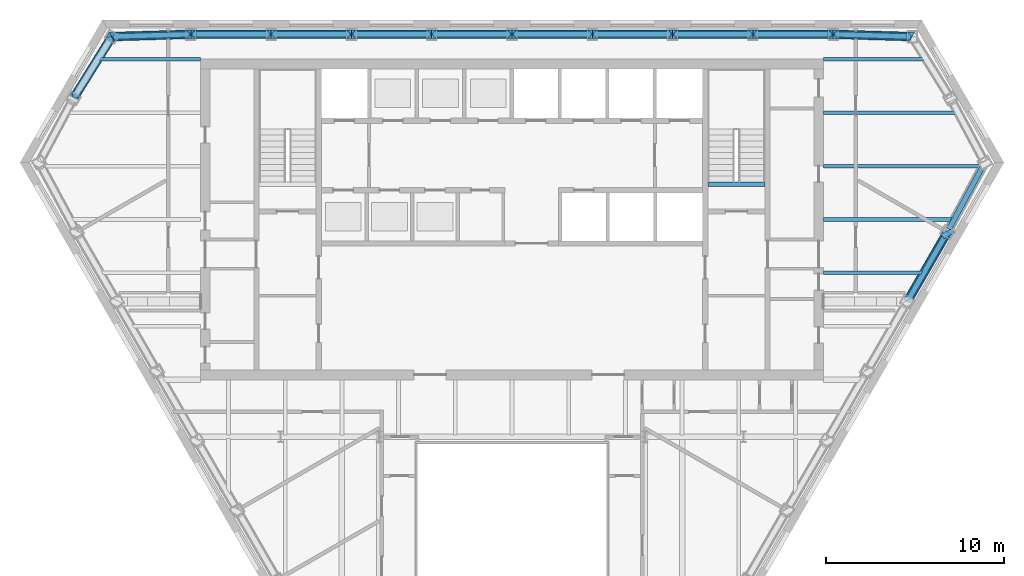
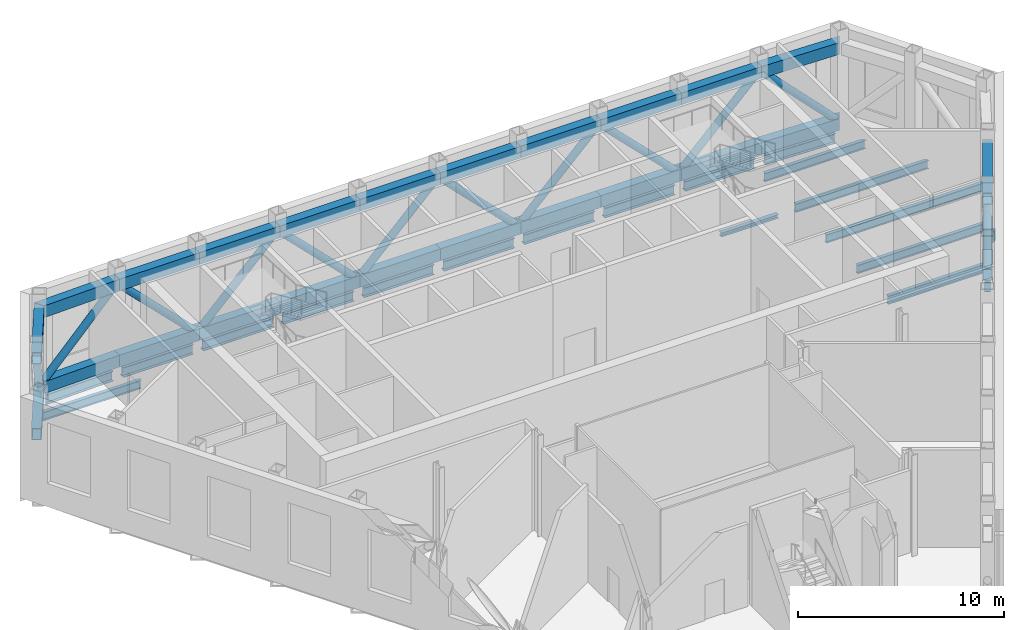
# One storey, part 5 of 15: 36 members, 20 beams.
"""IFC4 building model written with IfcOpenShell, lengths in metres."""

from ifc_helpers import new_model, si_unit, direction, frame, origin, origin_2d, place, context, subcontext, project, spatial, hollow_rectangle, hollow_circle, i_section, extrude, clip, halfspace, material, material_profile, profile_set, type_object, element, save


model = new_model("IFC4")

# Units and contexts
model_context = context("Model", 3, precision=1e-05, world=origin(), true_north=direction((0.0, 1.0)))
body_context = subcontext(model_context, "Body", "Model", "MODEL_VIEW")
ifc_project = project(units=[si_unit("LENGTHUNIT", "METRE"), si_unit("AREAUNIT", "SQUARE_METRE"), si_unit("VOLUMEUNIT", "CUBIC_METRE"), si_unit("PLANEANGLEUNIT", "RADIAN"), si_unit("MASSUNIT", "GRAM", prefix="KILO")], contexts=[model_context])

# Site, building, storey
site_placement = place(None, origin())
site = spatial("IfcSite", under=ifc_project, at=site_placement, CompositionType="ELEMENT")
building_placement = place(site_placement, origin())
building = spatial("IfcBuilding", under=site, at=building_placement, Name="Njiva Tower", CompositionType="ELEMENT")
storey_placement = place(building_placement, frame((0.0, 0.0, 133.8)))
storey = spatial("IfcBuildingStorey", under=building, at=storey_placement, Name="L28", CompositionType="ELEMENT", Elevation=133.8)

# Beams
ifc_material_1 = material(Name="Steel S355 J2", Category="steel")
ifc_material_profile_1 = material_profile(ifc_material_1, hollow_rectangle(XDim=0.7, YDim=0.7, WallThickness=0.08, at=origin_2d()), Name="BOX 700x700x80")
ifc_profile_set_1 = profile_set([ifc_material_profile_1], Name="Steel S355 J2")
beam_type_1 = type_object("IfcBeamType", Name="B19 Column jog beam BOX 700x700x80", PredefinedType="BEAM", material=ifc_profile_set_1)
beam_1_placement = place(storey_placement, frame((24.561, 8.085, -0.55), z_axis=(-0.480499251108, 0.876995136637, 0.0), x_axis=(-0.876995136637, -0.480499251108, 0.0)))
element("IfcBeam", 1, at=beam_1_placement, inside=storey, type_object=beam_type_1, Name="Column jog beam T2-B047", PredefinedType="BEAM", context=body_context, shape_type="SweptSolid", body=[
    extrude(hollow_rectangle(XDim=0.7, YDim=0.7, WallThickness=0.08, at=origin_2d()), origin(), (0.0, 0.0, 1.0), 0.2976),
])
ifc_material_profile_2 = material_profile(ifc_material_1, i_section(OverallWidth=0.2, OverallDepth=0.5, WebThickness=0.0102, FlangeThickness=0.016, at=origin_2d()), Name="IPE 500")
ifc_profile_set_2 = profile_set([ifc_material_profile_2], Name="Steel S355 J2")
beam_type_2 = type_object("IfcBeamType", Name="B24 Floor beam to the core IPE 500", PredefinedType="BEAM", material=ifc_profile_set_2)
beam_2_placement = place(storey_placement, frame((17.5, 6.0, -0.45), z_axis=(1.0, 0.0, 0.0), x_axis=(0.0, 1.0, 0.0)))
element("IfcBeam", 2, at=beam_2_placement, inside=storey, type_object=beam_type_2, Name="Floor beam to the core T2-B008", PredefinedType="BEAM", context=body_context, shape_type="Clipping", body=[
    clip(extrude(i_section(OverallWidth=0.2, OverallDepth=0.5, WebThickness=0.0102, FlangeThickness=0.016, at=origin_2d()), origin(), (0.0, 0.0, 1.0), 5.585), halfspace(frame((-0.025, 0.0, 5.493), z_axis=(-0.499998009787, 0.0, 0.866026552831), x_axis=(0.0, 1.0, 0.0)), False)),
])
beam_3_placement = place(storey_placement, frame((17.5, 9.0, -0.45), z_axis=(1.0, 0.0, 0.0), x_axis=(0.0, 1.0, 0.0)))
element("IfcBeam", 3, at=beam_3_placement, inside=storey, type_object=beam_type_2, Name="Floor beam to the core T2-B009", PredefinedType="BEAM", context=body_context, shape_type="Clipping", body=[
    clip(extrude(i_section(OverallWidth=0.2, OverallDepth=0.5, WebThickness=0.0102, FlangeThickness=0.016, at=origin_2d()), origin(), (0.0, 0.0, 1.0), 7.288), halfspace(frame((-0.0237, 0.0, 7.2008), z_axis=(-0.473777178452, 0.0, 0.88064475538), x_axis=(0.0, 1.0, 0.0)), False)),
])
beam_4_placement = place(storey_placement, frame((17.5, 12.0, -0.45), z_axis=(1.0, 0.0, 0.0), x_axis=(0.0, 1.0, 0.0)))
element("IfcBeam", 4, at=beam_4_placement, inside=storey, type_object=beam_type_2, Name="Floor beam to the core T2-B010", PredefinedType="BEAM", context=body_context, shape_type="Clipping", body=[
    clip(extrude(i_section(OverallWidth=0.2, OverallDepth=0.5, WebThickness=0.0102, FlangeThickness=0.016, at=origin_2d()), origin(), (0.0, 0.0, 1.0), 8.889), halfspace(frame((0.025, 0.0, 8.7964), z_axis=(0.499998009787, 0.0, 0.866026552831), x_axis=(0.0, 1.0, 0.0)), False)),
])
beam_5_placement = place(storey_placement, frame((17.5, 15.0, -0.45), z_axis=(1.0, 0.0, 0.0), x_axis=(0.0, 1.0, 0.0)))
element("IfcBeam", 5, at=beam_5_placement, inside=storey, type_object=beam_type_2, Name="Floor beam to the core T2-B011", PredefinedType="BEAM", context=body_context, shape_type="Clipping", body=[
    clip(extrude(i_section(OverallWidth=0.2, OverallDepth=0.5, WebThickness=0.0102, FlangeThickness=0.016, at=origin_2d()), origin(), (0.0, 0.0, 1.0), 7.509), halfspace(frame((0.0236, 0.0, 7.4234), z_axis=(0.471502520282, 0.0, 0.881864713756), x_axis=(0.0, 1.0, 0.0)), False)),
])
beam_6_placement = place(storey_placement, frame((-23.218, 18.0, -0.45), z_axis=(1.0, 0.0, 0.0), x_axis=(0.0, 1.0, 0.0)))
element("IfcBeam", 6, at=beam_6_placement, inside=storey, type_object=beam_type_2, Name="Floor beam to the core T2-B004", PredefinedType="BEAM", context=body_context, shape_type="Clipping", body=[
    clip(extrude(i_section(OverallWidth=0.2, OverallDepth=0.5, WebThickness=0.0102, FlangeThickness=0.016, at=origin_2d()), origin(), (0.0, 0.0, 1.0), 5.718), halfspace(frame((0.0264, 0.0, 0.0983), z_axis=(0.527959658278, 0.0, -0.849269450311), x_axis=(0.0, -1.0, 0.0)), False)),
])
beam_7_placement = place(storey_placement, frame((17.5, 18.0, -0.45), z_axis=(1.0, 0.0, 0.0), x_axis=(0.0, 1.0, 0.0)))
element("IfcBeam", 7, at=beam_7_placement, inside=storey, type_object=beam_type_2, Name="Floor beam to the core T2-B012", PredefinedType="BEAM", context=body_context, shape_type="Clipping", body=[
    clip(extrude(i_section(OverallWidth=0.2, OverallDepth=0.5, WebThickness=0.0102, FlangeThickness=0.016, at=origin_2d()), origin(), (0.0, 0.0, 1.0), 5.718), halfspace(frame((0.0264, 0.0, 5.6197), z_axis=(0.527959658278, 0.0, 0.849269450311), x_axis=(0.0, 1.0, 0.0)), False)),
])
ifc_material_profile_3 = material_profile(ifc_material_1, i_section(OverallWidth=0.3, OverallDepth=0.59, WebThickness=0.013, FlangeThickness=0.025, at=origin_2d()), Name="HEA 600")
ifc_profile_set_3 = profile_set([ifc_material_profile_3], Name="Steel S355 J2")
beam_type_3 = type_object("IfcBeamType", Name="B27 Short-span spandrel beam HEA 600", PredefinedType="SPANDREL", material=ifc_profile_set_3)
beam_8_placement = place(storey_placement, frame((22.182, 19.275, -0.495), z_axis=(-0.999544015996, 0.030195365317, 0.0), x_axis=(-0.030195365317, -0.999544015996, 0.0)))
element("IfcBeam", 8, at=beam_8_placement, inside=storey, type_object=beam_type_3, Name="Short-span spandrel beam T2-B108", PredefinedType="SPANDREL", context=body_context, shape_type="SweptSolid", body=[
    extrude(i_section(OverallWidth=0.3, OverallDepth=0.59, WebThickness=0.013, FlangeThickness=0.025, at=origin_2d()), origin(), (0.0, 0.0, 1.0), 3.8748),
])
beam_9_placement = place(storey_placement, frame((17.755, 19.4, -0.495), z_axis=(-1.0, 0.0, 0.0), x_axis=(0.0, -1.0, 0.0)))
element("IfcBeam", 9, at=beam_9_placement, inside=storey, type_object=beam_type_3, Name="Short-span spandrel beam T2-B105", PredefinedType="SPANDREL", context=body_context, shape_type="SweptSolid", body=[
    extrude(i_section(OverallWidth=0.3, OverallDepth=0.59, WebThickness=0.013, FlangeThickness=0.025, at=origin_2d()), origin(), (0.0, 0.0, 1.0), 3.957),
])
beam_10_placement = place(storey_placement, frame((13.248, 19.4, -0.495), z_axis=(-1.0, 0.0, 0.0), x_axis=(0.0, -1.0, 0.0)))
element("IfcBeam", 10, at=beam_10_placement, inside=storey, type_object=beam_type_3, Name="Short-span spandrel beam T2-B102", PredefinedType="SPANDREL", context=body_context, shape_type="SweptSolid", body=[
    extrude(i_section(OverallWidth=0.3, OverallDepth=0.59, WebThickness=0.013, FlangeThickness=0.025, at=origin_2d()), origin(), (0.0, 0.0, 1.0), 3.958),
])
beam_11_placement = place(storey_placement, frame((8.74, 19.4, -0.495), z_axis=(-1.0, 0.0, 0.0), x_axis=(0.0, -1.0, 0.0)))
element("IfcBeam", 11, at=beam_11_placement, inside=storey, type_object=beam_type_3, Name="Short-span spandrel beam T2-B099", PredefinedType="SPANDREL", context=body_context, shape_type="SweptSolid", body=[
    extrude(i_section(OverallWidth=0.3, OverallDepth=0.59, WebThickness=0.013, FlangeThickness=0.025, at=origin_2d()), origin(), (0.0, 0.0, 1.0), 3.957),
])
for number, where, z_axis, x_axis, name in (
    (12, (4.233, 19.4, -0.495), (-1.0, 0.0, 0.0), (0.0, -1.0, 0.0), "Short-span spandrel beam T2-B096"),
    (13, (-0.275, 19.4, -0.495), (-1.0, 0.0, 0.0), (0.0, -1.0, 0.0), "Short-span spandrel beam T2-B094"),
):
    element("IfcBeam", number, at=place(storey_placement, frame(where, z_axis=z_axis, x_axis=x_axis)), inside=storey, type_object=beam_type_3, Name=name, PredefinedType="SPANDREL", context=body_context, shape_type="SweptSolid", body=[
        extrude(i_section(OverallWidth=0.3, OverallDepth=0.59, WebThickness=0.013, FlangeThickness=0.025, at=origin_2d()), origin(), (0.0, 0.0, 1.0), 3.958),
    ])
beam_12_placement = place(storey_placement, frame((-4.783, 19.4, -0.495), z_axis=(-1.0, 0.0, 0.0), x_axis=(0.0, -1.0, 0.0)))
element("IfcBeam", 14, at=beam_12_placement, inside=storey, type_object=beam_type_3, Name="Short-span spandrel beam T2-B091", PredefinedType="SPANDREL", context=body_context, shape_type="SweptSolid", body=[
    extrude(i_section(OverallWidth=0.3, OverallDepth=0.59, WebThickness=0.013, FlangeThickness=0.025, at=origin_2d()), origin(), (0.0, 0.0, 1.0), 3.957),
])
beam_13_placement = place(storey_placement, frame((-9.29, 19.4, -0.495), z_axis=(-1.0, 0.0, 0.0), x_axis=(0.0, -1.0, 0.0)))
element("IfcBeam", 15, at=beam_13_placement, inside=storey, type_object=beam_type_3, Name="Short-span spandrel beam T2-B088", PredefinedType="SPANDREL", context=body_context, shape_type="SweptSolid", body=[
    extrude(i_section(OverallWidth=0.3, OverallDepth=0.59, WebThickness=0.013, FlangeThickness=0.025, at=origin_2d()), origin(), (0.0, 0.0, 1.0), 3.958),
])
beam_14_placement = place(storey_placement, frame((-13.798, 19.4, -0.495), z_axis=(-1.0, 0.0, 0.0), x_axis=(0.0, -1.0, 0.0)))
element("IfcBeam", 16, at=beam_14_placement, inside=storey, type_object=beam_type_3, Name="Short-span spandrel beam T2-B085", PredefinedType="SPANDREL", context=body_context, shape_type="SweptSolid", body=[
    extrude(i_section(OverallWidth=0.3, OverallDepth=0.59, WebThickness=0.013, FlangeThickness=0.025, at=origin_2d()), origin(), (0.0, 0.0, 1.0), 3.957),
])
beam_15_placement = place(storey_placement, frame((-18.309, 19.392, -0.495), z_axis=(-0.999550066906, -0.029994395269, 0.0), x_axis=(0.029994395269, -0.999550066906, 0.0)))
element("IfcBeam", 17, at=beam_15_placement, inside=storey, type_object=beam_type_3, Name="Short-span spandrel beam T2-B082", PredefinedType="SPANDREL", context=body_context, shape_type="Clipping", body=[
    clip(extrude(i_section(OverallWidth=0.3, OverallDepth=0.59, WebThickness=0.013, FlangeThickness=0.025, at=origin_2d()), origin(), (0.0, 0.0, 1.0), 3.9137), halfspace(frame((-0.0259, 0.0, 3.7849), z_axis=(-0.525748986875, 0.0, 0.850639760886), x_axis=(0.0, 1.0, 0.0)), False)),
])
beam_16_placement = place(storey_placement, frame((22.285, 4.549, -0.495), z_axis=(0.499890179513, 0.866088799389, 0.0), x_axis=(-0.866088799389, 0.499890179513, 0.0)))
element("IfcBeam", 18, at=beam_16_placement, inside=storey, type_object=beam_type_3, Name="Short-span spandrel beam T2-B110", PredefinedType="SPANDREL", context=body_context, shape_type="SweptSolid", body=[
    extrude(i_section(OverallWidth=0.3, OverallDepth=0.59, WebThickness=0.013, FlangeThickness=0.025, at=origin_2d()), origin(), (0.0, 0.0, 1.0), 3.9569),
])
beam_17_placement = place(storey_placement, frame((24.535, 8.458, -0.495), z_axis=(0.473854488277, 0.88060315917, 0.0), x_axis=(-0.88060315917, 0.473854488277, 0.0)))
element("IfcBeam", 19, at=beam_17_placement, inside=storey, type_object=beam_type_3, Name="Short-span spandrel beam T2-B112", PredefinedType="SPANDREL", context=body_context, shape_type="Clipping", body=[
    clip(extrude(i_section(OverallWidth=0.3, OverallDepth=0.59, WebThickness=0.013, FlangeThickness=0.025, at=origin_2d()), origin(), (0.0, 0.0, 1.0), 4.0024), halfspace(frame((-0.0264, 0.0, 3.8735), z_axis=(-0.525699417281, 0.0, 0.850670396023), x_axis=(0.0, 1.0, 0.0)), False)),
])
ifc_material_profile_4 = material_profile(ifc_material_1, i_section(OverallWidth=0.24, OverallDepth=0.23, WebThickness=0.0075, FlangeThickness=0.012, at=origin_2d()), Name="HEA240")
ifc_profile_set_4 = profile_set([ifc_material_profile_4], Name="Steel S355 J2")
beam_type_4 = type_object("IfcBeamType", Name="FL8 Landing beam HEA 240", PredefinedType="BEAM", material=ifc_profile_set_4)
beam_18_placement = place(storey_placement, frame((10.994, 10.98, 2.685), z_axis=(1.0, 0.0, 0.0), x_axis=(0.0, 1.0, 0.0)))
element("IfcBeam", 20, at=beam_18_placement, inside=storey, type_object=beam_type_4, Name="Landing beam", PredefinedType="BEAM", context=body_context, shape_type="SweptSolid", body=[
    extrude(i_section(OverallWidth=0.24, OverallDepth=0.23, WebThickness=0.0075, FlangeThickness=0.012, at=origin_2d()), origin(), (0.0, 0.0, 1.0), 3.212),
])

# Members
ifc_material_profile_5 = material_profile(ifc_material_1, hollow_rectangle(XDim=0.5, YDim=0.7, WallThickness=0.04, at=origin_2d()), Name="BOX 700x500x40")
ifc_profile_set_5 = profile_set([ifc_material_profile_5], Name="Steel S355 J2")
member_type_1 = type_object("IfcMemberType", Name="TC2 Belt truss chord BOX 700x500x40", PredefinedType="CHORD", material=ifc_profile_set_5)
member_1_placement = place(storey_placement, frame((22.6299, 19.2621, 0.35), z_axis=(-0.999550033089, 0.029995522202, 0.0), x_axis=(-0.029995522202, -0.999550033089, 0.0)))
element("IfcMember", 21, at=member_1_placement, inside=storey, type_object=member_type_1, Name="Belt truss chord T2-TR001", PredefinedType="CHORD", context=body_context, shape_type="Clipping", body=[
    clip(clip(extrude(hollow_rectangle(XDim=0.5, YDim=0.7, WallThickness=0.04, at=origin_2d()), origin(), (0.0, 0.0, 1.0), 4.632), halfspace(frame((0.0, -134.15, 0.164), z_axis=(0.472647706211, 0.0, -0.881251465709), x_axis=(0.0, -1.0, 0.0)), False)), halfspace(frame((0.0, -134.15, 4.598), z_axis=(0.014998934611, 0.0, 0.999887509653), x_axis=(0.0, 1.0, 0.0)), False)),
])
member_2_placement = place(storey_placement, frame((22.6299, 19.2621, 4.86), z_axis=(-0.999550033089, 0.029995522202, 0.0), x_axis=(-0.029995522202, -0.999550033089, 0.0)))
element("IfcMember", 22, at=member_2_placement, inside=storey, type_object=member_type_1, Name="Belt truss chord T2-TR002", PredefinedType="CHORD", context=body_context, shape_type="Clipping", body=[
    clip(clip(extrude(hollow_rectangle(XDim=0.5, YDim=0.7, WallThickness=0.04, at=origin_2d()), origin(), (0.0, 0.0, 1.0), 4.632), halfspace(frame((0.0, -138.66, 0.164), z_axis=(0.472647706211, 0.0, -0.881251465709), x_axis=(0.0, -1.0, 0.0)), False)), halfspace(frame((0.0, -138.66, 4.598), z_axis=(0.014998934611, 0.0, 0.999887509653), x_axis=(0.0, 1.0, 0.0)), False)),
])
member_3_placement = place(storey_placement, frame((18.068, 19.4, 0.35), z_axis=(-1.0, 0.0, 0.0), x_axis=(0.0, -1.0, 0.0)))
element("IfcMember", 23, at=member_3_placement, inside=storey, type_object=member_type_1, Name="Belt truss chord T2-TR004", PredefinedType="CHORD", context=body_context, shape_type="Clipping", body=[
    clip(extrude(hollow_rectangle(XDim=0.5, YDim=0.7, WallThickness=0.04, at=origin_2d()), origin(), (0.0, 0.0, 1.0), 4.542), halfspace(frame((0.0, -134.15, 0.034), z_axis=(0.014999962409, 0.0, -0.999887494235), x_axis=(0.0, -1.0, 0.0)), False)),
])
member_4_placement = place(storey_placement, frame((18.068, 19.4, 4.86), z_axis=(-1.0, 0.0, 0.0), x_axis=(0.0, -1.0, 0.0)))
element("IfcMember", 24, at=member_4_placement, inside=storey, type_object=member_type_1, Name="Belt truss chord T2-TR005", PredefinedType="CHORD", context=body_context, shape_type="Clipping", body=[
    clip(extrude(hollow_rectangle(XDim=0.5, YDim=0.7, WallThickness=0.04, at=origin_2d()), origin(), (0.0, 0.0, 1.0), 4.542), halfspace(frame((0.0, -138.66, 0.034), z_axis=(0.014999962409, 0.0, -0.999887494235), x_axis=(0.0, -1.0, 0.0)), False)),
])
for number, where, z_axis, x_axis, name in (
    (25, (13.526, 19.4, 0.35), (-1.0, 0.0, 0.0), (0.0, -1.0, 0.0), "Belt truss chord T2-TR007"),
    (26, (13.526, 19.4, 4.86), (-1.0, 0.0, 0.0), (0.0, -1.0, 0.0), "Belt truss chord T2-TR008"),
):
    element("IfcMember", number, at=place(storey_placement, frame(where, z_axis=z_axis, x_axis=x_axis)), inside=storey, type_object=member_type_1, Name=name, PredefinedType="CHORD", context=body_context, shape_type="SweptSolid", body=[
        extrude(hollow_rectangle(XDim=0.5, YDim=0.7, WallThickness=0.04, at=origin_2d()), origin(), (0.0, 0.0, 1.0), 4.509),
    ])
for number, where, z_axis, x_axis, name in (
    (27, (9.017, 19.4, 0.35), (-1.0, 0.0, 0.0), (0.0, -1.0, 0.0), "Belt truss chord T2-TR010"),
    (28, (9.017, 19.4, 4.86), (-1.0, 0.0, 0.0), (0.0, -1.0, 0.0), "Belt truss chord T2-TR011"),
):
    element("IfcMember", number, at=place(storey_placement, frame(where, z_axis=z_axis, x_axis=x_axis)), inside=storey, type_object=member_type_1, Name=name, PredefinedType="CHORD", context=body_context, shape_type="SweptSolid", body=[
        extrude(hollow_rectangle(XDim=0.5, YDim=0.7, WallThickness=0.04, at=origin_2d()), origin(), (0.0, 0.0, 1.0), 4.508),
    ])
for number, where, z_axis, x_axis, name in (
    (29, (4.509, 19.4, 0.35), (-1.0, 0.0, 0.0), (0.0, -1.0, 0.0), "Belt truss chord T2-TR013"),
    (30, (4.509, 19.4, 4.86), (-1.0, 0.0, 0.0), (0.0, -1.0, 0.0), "Belt truss chord T2-TR014"),
    (31, (0.0, 19.4, 0.35), (-1.0, 0.0, 0.0), (0.0, -1.0, 0.0), "Belt truss chord T2-TR016"),
    (32, (0.0, 19.4, 4.86), (-1.0, 0.0, 0.0), (0.0, -1.0, 0.0), "Belt truss chord T2-TR017"),
):
    element("IfcMember", number, at=place(storey_placement, frame(where, z_axis=z_axis, x_axis=x_axis)), inside=storey, type_object=member_type_1, Name=name, PredefinedType="CHORD", context=body_context, shape_type="SweptSolid", body=[
        extrude(hollow_rectangle(XDim=0.5, YDim=0.7, WallThickness=0.04, at=origin_2d()), origin(), (0.0, 0.0, 1.0), 4.509),
    ])
for number, where, z_axis, x_axis, name in (
    (33, (-4.509, 19.4, 0.35), (-1.0, 0.0, 0.0), (0.0, -1.0, 0.0), "Belt truss chord T2-TR019"),
    (34, (-4.509, 19.4, 4.86), (-1.0, 0.0, 0.0), (0.0, -1.0, 0.0), "Belt truss chord T2-TR020"),
):
    element("IfcMember", number, at=place(storey_placement, frame(where, z_axis=z_axis, x_axis=x_axis)), inside=storey, type_object=member_type_1, Name=name, PredefinedType="CHORD", context=body_context, shape_type="SweptSolid", body=[
        extrude(hollow_rectangle(XDim=0.5, YDim=0.7, WallThickness=0.04, at=origin_2d()), origin(), (0.0, 0.0, 1.0), 4.508),
    ])
for number, where, z_axis, x_axis, name in (
    (35, (-9.017, 19.4, 0.35), (-1.0, 0.0, 0.0), (0.0, -1.0, 0.0), "Belt truss chord T2-TR022"),
    (36, (-9.017, 19.4, 4.86), (-1.0, 0.0, 0.0), (0.0, -1.0, 0.0), "Belt truss chord T2-TR023"),
):
    element("IfcMember", number, at=place(storey_placement, frame(where, z_axis=z_axis, x_axis=x_axis)), inside=storey, type_object=member_type_1, Name=name, PredefinedType="CHORD", context=body_context, shape_type="SweptSolid", body=[
        extrude(hollow_rectangle(XDim=0.5, YDim=0.7, WallThickness=0.04, at=origin_2d()), origin(), (0.0, 0.0, 1.0), 4.509),
    ])
member_5_placement = place(storey_placement, frame((-13.526, 19.4, 0.35), z_axis=(-1.0, 0.0, 0.0), x_axis=(0.0, -1.0, 0.0)))
element("IfcMember", 37, at=member_5_placement, inside=storey, type_object=member_type_1, Name="Belt truss chord T2-TR025", PredefinedType="CHORD", context=body_context, shape_type="Clipping", body=[
    clip(extrude(hollow_rectangle(XDim=0.5, YDim=0.7, WallThickness=0.04, at=origin_2d()), origin(), (0.0, 0.0, 1.0), 4.542), halfspace(frame((0.0, -134.15, 4.508), z_axis=(0.014999962409, 0.0, 0.999887494235), x_axis=(0.0, 1.0, 0.0)), False)),
])
member_6_placement = place(storey_placement, frame((-13.526, 19.4, 4.86), z_axis=(-1.0, 0.0, 0.0), x_axis=(0.0, -1.0, 0.0)))
element("IfcMember", 38, at=member_6_placement, inside=storey, type_object=member_type_1, Name="Belt truss chord T2-TR026", PredefinedType="CHORD", context=body_context, shape_type="Clipping", body=[
    clip(extrude(hollow_rectangle(XDim=0.5, YDim=0.7, WallThickness=0.04, at=origin_2d()), origin(), (0.0, 0.0, 1.0), 4.542), halfspace(frame((0.0, -138.66, 4.508), z_axis=(0.014999962409, 0.0, 0.999887494235), x_axis=(0.0, 1.0, 0.0)), False)),
])
member_7_placement = place(storey_placement, frame((-18.0, 19.401, 0.35), z_axis=(-0.999550033089, -0.029995522202, 0.0), x_axis=(0.029995522202, -0.999550033089, 0.0)))
element("IfcMember", 39, at=member_7_placement, inside=storey, type_object=member_type_1, Name="Belt truss chord T2-TR028", PredefinedType="CHORD", context=body_context, shape_type="Clipping", body=[
    clip(clip(extrude(hollow_rectangle(XDim=0.5, YDim=0.7, WallThickness=0.04, at=origin_2d()), origin(), (0.0, 0.0, 1.0), 4.632), halfspace(frame((0.0, -134.15, 0.034), z_axis=(0.014998934611, 0.0, -0.999887509653), x_axis=(0.0, -1.0, 0.0)), False)), halfspace(frame((0.0, -134.15, 4.468), z_axis=(0.472647706211, 0.0, 0.881251465709), x_axis=(0.0, 1.0, 0.0)), False)),
])
member_8_placement = place(storey_placement, frame((-18.0, 19.401, 4.86), z_axis=(-0.999550033089, -0.029995522202, 0.0), x_axis=(0.029995522202, -0.999550033089, 0.0)))
element("IfcMember", 40, at=member_8_placement, inside=storey, type_object=member_type_1, Name="Belt truss chord T2-TR029", PredefinedType="CHORD", context=body_context, shape_type="Clipping", body=[
    clip(clip(extrude(hollow_rectangle(XDim=0.5, YDim=0.7, WallThickness=0.04, at=origin_2d()), origin(), (0.0, 0.0, 1.0), 4.632), halfspace(frame((0.0, -138.66, 0.034), z_axis=(0.014998934611, 0.0, -0.999887509653), x_axis=(0.0, -1.0, 0.0)), False)), halfspace(frame((0.0, -138.66, 4.468), z_axis=(0.472647706211, 0.0, 0.881251465709), x_axis=(0.0, 1.0, 0.0)), False)),
])
member_9_placement = place(storey_placement, frame((-22.3794, 19.4063, 0.35), z_axis=(-0.527972311316, -0.84926158425, 0.0), x_axis=(0.84926158425, -0.527972311316, 0.0)))
element("IfcMember", 41, at=member_9_placement, inside=storey, type_object=member_type_1, Name="Belt truss chord T2-TR031", PredefinedType="CHORD", context=body_context, shape_type="Clipping", body=[
    clip(clip(extrude(hollow_rectangle(XDim=0.5, YDim=0.7, WallThickness=0.04, at=origin_2d()), origin(), (0.0, 0.0, 1.0), 4.2855), halfspace(frame((0.0, -134.15, 0.164), z_axis=(0.472647183279, 0.0, -0.881251746176), x_axis=(0.0, -1.0, 0.0)), False)), halfspace(frame((0.0, -134.15, 4.2475), z_axis=(0.032528360186, 0.0, 0.999470812872), x_axis=(0.0, 1.0, 0.0)), False)),
])
member_10_placement = place(storey_placement, frame((-22.3794, 19.4063, 4.86), z_axis=(-0.527972311316, -0.84926158425, 0.0), x_axis=(0.84926158425, -0.527972311316, 0.0)))
element("IfcMember", 42, at=member_10_placement, inside=storey, type_object=member_type_1, Name="Belt truss chord T2-TR032", PredefinedType="CHORD", context=body_context, shape_type="Clipping", body=[
    clip(clip(extrude(hollow_rectangle(XDim=0.5, YDim=0.7, WallThickness=0.04, at=origin_2d()), origin(), (0.0, 0.0, 1.0), 4.2855), halfspace(frame((0.0, -138.66, 0.164), z_axis=(0.472647183279, 0.0, -0.881251746176), x_axis=(0.0, -1.0, 0.0)), False)), halfspace(frame((0.0, -138.66, 4.2475), z_axis=(0.032528360186, 0.0, 0.999470812872), x_axis=(0.0, 1.0, 0.0)), False)),
])
member_11_placement = place(storey_placement, frame((22.193, 4.389, 0.35), z_axis=(0.500004084281, 0.866023045711, 0.0), x_axis=(-0.866023045711, 0.500004084281, 0.0)))
element("IfcMember", 43, at=member_11_placement, inside=storey, type_object=member_type_1, Name="Belt truss chord T2-TR097", PredefinedType="CHORD", context=body_context, shape_type="Clipping", body=[
    clip(extrude(hollow_rectangle(XDim=0.5, YDim=0.7, WallThickness=0.04, at=origin_2d()), origin(), (0.0, 0.0, 1.0), 4.542), halfspace(frame((0.0, -134.15, 4.508), z_axis=(0.0149950409, 0.0, 0.999887568054), x_axis=(0.0, 1.0, 0.0)), False)),
])
member_12_placement = place(storey_placement, frame((22.193, 4.389, 4.86), z_axis=(0.500004084281, 0.866023045711, 0.0), x_axis=(-0.866023045711, 0.500004084281, 0.0)))
element("IfcMember", 44, at=member_12_placement, inside=storey, type_object=member_type_1, Name="Belt truss chord T2-TR098", PredefinedType="CHORD", context=body_context, shape_type="Clipping", body=[
    clip(extrude(hollow_rectangle(XDim=0.5, YDim=0.7, WallThickness=0.04, at=origin_2d()), origin(), (0.0, 0.0, 1.0), 4.542), halfspace(frame((0.0, -138.66, 4.508), z_axis=(0.0149950409, 0.0, 0.999887568054), x_axis=(0.0, 1.0, 0.0)), False)),
])
ifc_material_2 = material(Name="Steel S355 J2H", Category="steel")
ifc_material_profile_6 = material_profile(ifc_material_2, hollow_circle(Radius=0.2032, WallThickness=0.016, at=origin_2d()), Name="CHS 406.4x16")
ifc_profile_set_6 = profile_set([ifc_material_profile_6], Name="Steel S355 J2H")
member_type_2 = type_object("IfcMemberType", Name="TD2 Belt truss diagonal CHS 406.4x16", PredefinedType="BRACE", material=ifc_profile_set_6)
member_13_placement = place(storey_placement, frame((22.6286, 19.2621, 0.1846), z_axis=(-0.700757111844, 0.021029037878, 0.713089931051), x_axis=(-0.029995522202, -0.999550033089, 0.0)))
element("IfcMember", 45, at=member_13_placement, inside=storey, type_object=member_type_2, Name="Belt truss diagonal T2-TR003", PredefinedType="BRACE", context=body_context, shape_type="Clipping", body=[
    clip(clip(extrude(hollow_circle(Radius=0.2032, WallThickness=0.016, at=origin_2d()), origin(), (0.0, 0.0, 1.0), 6.7886), halfspace(frame((19.9322, -15.3626, 15.8125), z_axis=(0.0, -0.701072571304, -0.713089931051), x_axis=(0.0, -0.713089931051, 0.701072571304)), False)), halfspace(frame((19.9322, -12.6775, 18.5436), z_axis=(0.0, 0.701072571304, 0.713089931051), x_axis=(0.0, 0.713089931051, -0.701072571304)), False)),
])
member_14_placement = place(storey_placement, frame((18.2001, 19.4, 5.0262), z_axis=(-0.706949942603, 0.0, -0.707263584991), x_axis=(0.0, -1.0, 0.0)))
element("IfcMember", 46, at=member_14_placement, inside=storey, type_object=member_type_2, Name="Belt truss diagonal T2-TR006", PredefinedType="BRACE", context=body_context, shape_type="Clipping", body=[
    clip(clip(extrude(hollow_circle(Radius=0.2032, WallThickness=0.016, at=origin_2d()), origin(), (0.0, 0.0, 1.0), 6.8467), halfspace(frame((19.4, 12.5144, 13.2246), z_axis=(0.0, 0.706949942603, -0.707263584991), x_axis=(0.0, -0.707263584991, -0.706949942603)), False)), halfspace(frame((19.4, 9.8068, 15.9334), z_axis=(0.0, -0.706949942603, 0.707263584991), x_axis=(0.0, 0.707263584991, 0.706949942603)), False)),
])
member_15_placement = place(storey_placement, frame((13.6922, 19.4, 0.1838), z_axis=(-0.707028374936, 0.0, 0.707185178745), x_axis=(0.0, -1.0, 0.0)))
element("IfcMember", 47, at=member_15_placement, inside=storey, type_object=member_type_2, Name="Belt truss diagonal T2-TR009", PredefinedType="BRACE", context=body_context, shape_type="Clipping", body=[
    clip(clip(extrude(hollow_circle(Radius=0.2032, WallThickness=0.016, at=origin_2d()), origin(), (0.0, 0.0, 1.0), 6.8474), halfspace(frame((19.4, -9.325, 10.0387), z_axis=(0.0, -0.707028374936, -0.707185178745), x_axis=(0.0, -0.707185178745, 0.707028374936)), False)), halfspace(frame((19.4, -6.6171, 12.7472), z_axis=(0.0, 0.707028374936, 0.707185178745), x_axis=(0.0, 0.707185178745, -0.707028374936)), False)),
])
member_16_placement = place(storey_placement, frame((9.1831, 19.4, 5.0262), z_axis=(-0.706949942603, 0.0, -0.707263584991), x_axis=(0.0, -1.0, 0.0)))
element("IfcMember", 48, at=member_16_placement, inside=storey, type_object=member_type_2, Name="Belt truss diagonal T2-TR012", PredefinedType="BRACE", context=body_context, shape_type="Clipping", body=[
    clip(clip(extrude(hollow_circle(Radius=0.2032, WallThickness=0.016, at=origin_2d()), origin(), (0.0, 0.0, 1.0), 6.8467), halfspace(frame((19.4, 6.137, 6.85), z_axis=(0.0, 0.706949942603, -0.707263584991), x_axis=(0.0, -0.707263584991, -0.706949942603)), False)), halfspace(frame((19.4, 3.4294, 9.5589), z_axis=(0.0, -0.706949942603, 0.707263584991), x_axis=(0.0, 0.707263584991, 0.706949942603)), False)),
])
member_17_placement = place(storey_placement, frame((4.6752, 19.4, 0.1838), z_axis=(-0.707028374936, 0.0, 0.707185178745), x_axis=(0.0, -1.0, 0.0)))
element("IfcMember", 49, at=member_17_placement, inside=storey, type_object=member_type_2, Name="Belt truss diagonal T2-TR015", PredefinedType="BRACE", context=body_context, shape_type="Clipping", body=[
    clip(clip(extrude(hollow_circle(Radius=0.2032, WallThickness=0.016, at=origin_2d()), origin(), (0.0, 0.0, 1.0), 6.8474), halfspace(frame((19.4, -2.9483, 3.6634), z_axis=(0.0, -0.707028374936, -0.707185178745), x_axis=(0.0, -0.707185178745, 0.707028374936)), False)), halfspace(frame((19.4, -0.2404, 6.372), z_axis=(0.0, 0.707028374936, 0.707185178745), x_axis=(0.0, 0.707185178745, -0.707028374936)), False)),
])
member_18_placement = place(storey_placement, frame((0.1662, 19.4, 5.0262), z_axis=(-0.707028374936, 0.0, -0.707185178745), x_axis=(0.0, -1.0, 0.0)))
element("IfcMember", 50, at=member_18_placement, inside=storey, type_object=member_type_2, Name="Belt truss diagonal T2-TR018", PredefinedType="BRACE", context=body_context, shape_type="Clipping", body=[
    clip(clip(extrude(hollow_circle(Radius=0.2032, WallThickness=0.016, at=origin_2d()), origin(), (0.0, 0.0, 1.0), 6.8474), halfspace(frame((19.4, -0.2404, 0.4754), z_axis=(0.0, 0.707028374936, -0.707185178745), x_axis=(0.0, -0.707185178745, -0.707028374936)), False)), halfspace(frame((19.4, -2.9483, 3.184), z_axis=(0.0, -0.707028374936, 0.707185178745), x_axis=(0.0, 0.707185178745, 0.707028374936)), False)),
])
member_19_placement = place(storey_placement, frame((-4.3429, 19.4, 0.1838), z_axis=(-0.706949942603, 0.0, 0.707263584991), x_axis=(0.0, -1.0, 0.0)))
element("IfcMember", 51, at=member_19_placement, inside=storey, type_object=member_type_2, Name="Belt truss diagonal T2-TR021", PredefinedType="BRACE", context=body_context, shape_type="Clipping", body=[
    clip(clip(extrude(hollow_circle(Radius=0.2032, WallThickness=0.016, at=origin_2d()), origin(), (0.0, 0.0, 1.0), 6.8467), halfspace(frame((19.4, 3.4294, -2.7122), z_axis=(0.0, -0.706949942603, -0.707263584991), x_axis=(0.0, -0.707263584991, 0.706949942603)), False)), halfspace(frame((19.4, 6.137, -0.0033), z_axis=(0.0, 0.706949942603, 0.707263584991), x_axis=(0.0, 0.707263584991, -0.706949942603)), False)),
])
member_20_placement = place(storey_placement, frame((-8.8508, 19.4, 5.0262), z_axis=(-0.707028374936, 0.0, -0.707185178745), x_axis=(0.0, -1.0, 0.0)))
element("IfcMember", 52, at=member_20_placement, inside=storey, type_object=member_type_2, Name="Belt truss diagonal T2-TR024", PredefinedType="BRACE", context=body_context, shape_type="Clipping", body=[
    clip(clip(extrude(hollow_circle(Radius=0.2032, WallThickness=0.016, at=origin_2d()), origin(), (0.0, 0.0, 1.0), 6.8474), halfspace(frame((19.4, -6.6171, -5.8998), z_axis=(0.0, 0.707028374936, -0.707185178745), x_axis=(0.0, -0.707185178745, -0.707028374936)), False)), halfspace(frame((19.4, -9.325, -3.1913), z_axis=(0.0, -0.707028374936, 0.707185178745), x_axis=(0.0, 0.707185178745, 0.707028374936)), False)),
])
member_21_placement = place(storey_placement, frame((-13.3599, 19.4, 0.1838), z_axis=(-0.706949942603, 0.0, 0.707263584991), x_axis=(0.0, -1.0, 0.0)))
element("IfcMember", 53, at=member_21_placement, inside=storey, type_object=member_type_2, Name="Belt truss diagonal T2-TR027", PredefinedType="BRACE", context=body_context, shape_type="Clipping", body=[
    clip(clip(extrude(hollow_circle(Radius=0.2032, WallThickness=0.016, at=origin_2d()), origin(), (0.0, 0.0, 1.0), 6.8467), halfspace(frame((19.4, 9.8068, -9.0867), z_axis=(0.0, -0.706949942603, -0.707263584991), x_axis=(0.0, -0.707263584991, 0.706949942603)), False)), halfspace(frame((19.4, 12.5144, -6.3779), z_axis=(0.0, 0.706949942603, 0.707263584991), x_axis=(0.0, 0.707263584991, -0.706949942603)), False)),
])
member_22_placement = place(storey_placement, frame((-17.8714, 19.4049, 5.0254), z_axis=(-0.700757111844, -0.021029037878, -0.713089931051), x_axis=(0.029995522202, -0.999550033089, 0.0)))
element("IfcMember", 54, at=member_22_placement, inside=storey, type_object=member_type_2, Name="Belt truss diagonal T2-TR030", PredefinedType="BRACE", context=body_context, shape_type="Clipping", body=[
    clip(clip(extrude(hollow_circle(Radius=0.2032, WallThickness=0.016, at=origin_2d()), origin(), (0.0, 0.0, 1.0), 6.7886), halfspace(frame((19.9322, -12.6775, -11.755), z_axis=(0.0, 0.701072571304, -0.713089931051), x_axis=(0.0, -0.713089931051, -0.701072571304)), False)), halfspace(frame((19.9322, -15.3626, -9.0239), z_axis=(0.0, -0.701072571304, 0.713089931051), x_axis=(0.0, 0.713089931051, 0.701072571304)), False)),
])
member_23_placement = place(storey_placement, frame((-22.3895, 19.3901, 0.1899), z_axis=(-0.354370189725, -0.570016613158, 0.741284580548), x_axis=(0.84926158425, -0.527972311316, 0.0)))
element("IfcMember", 55, at=member_23_placement, inside=storey, type_object=member_type_2, Name="Belt truss diagonal T2-TR033", PredefinedType="BRACE", context=body_context, shape_type="Clipping", body=[
    clip(clip(extrude(hollow_circle(Radius=0.2032, WallThickness=0.016, at=origin_2d()), origin(), (0.0, 0.0, 1.0), 6.516), halfspace(frame((29.252, -3.1085, 3.4893), z_axis=(0.0, -0.67119086007, -0.741284580548), x_axis=(0.0, -0.741284580548, 0.67119086007)), False)), halfspace(frame((29.252, -0.5379, 6.3284), z_axis=(0.0, 0.67119086007, 0.741284580548), x_axis=(0.0, 0.741284580548, -0.67119086007)), False)),
])
member_24_placement = place(storey_placement, frame((22.1099, 4.2451, 0.1838), z_axis=(0.353476414343, 0.612232440815, 0.707266472355), x_axis=(-0.866023045711, 0.500004084281, 0.0)))
element("IfcMember", 56, at=member_24_placement, inside=storey, type_object=member_type_2, Name="Belt truss diagonal T2-TR099", PredefinedType="BRACE", context=body_context, shape_type="Clipping", body=[
    clip(clip(extrude(hollow_circle(Radius=0.2032, WallThickness=0.016, at=origin_2d()), origin(), (0.0, 0.0, 1.0), 6.8467), halfspace(frame((17.0251, 10.7769, -10.0563), z_axis=(0.0, -0.706947053946, -0.707266472355), x_axis=(0.0, -0.707266472355, 0.706947053946)), False)), halfspace(frame((17.0251, 13.4845, -7.3475), z_axis=(0.0, 0.706947053946, 0.707266472355), x_axis=(0.0, 0.707266472355, -0.706947053946)), False)),
])

save(model, "model.ifc")
